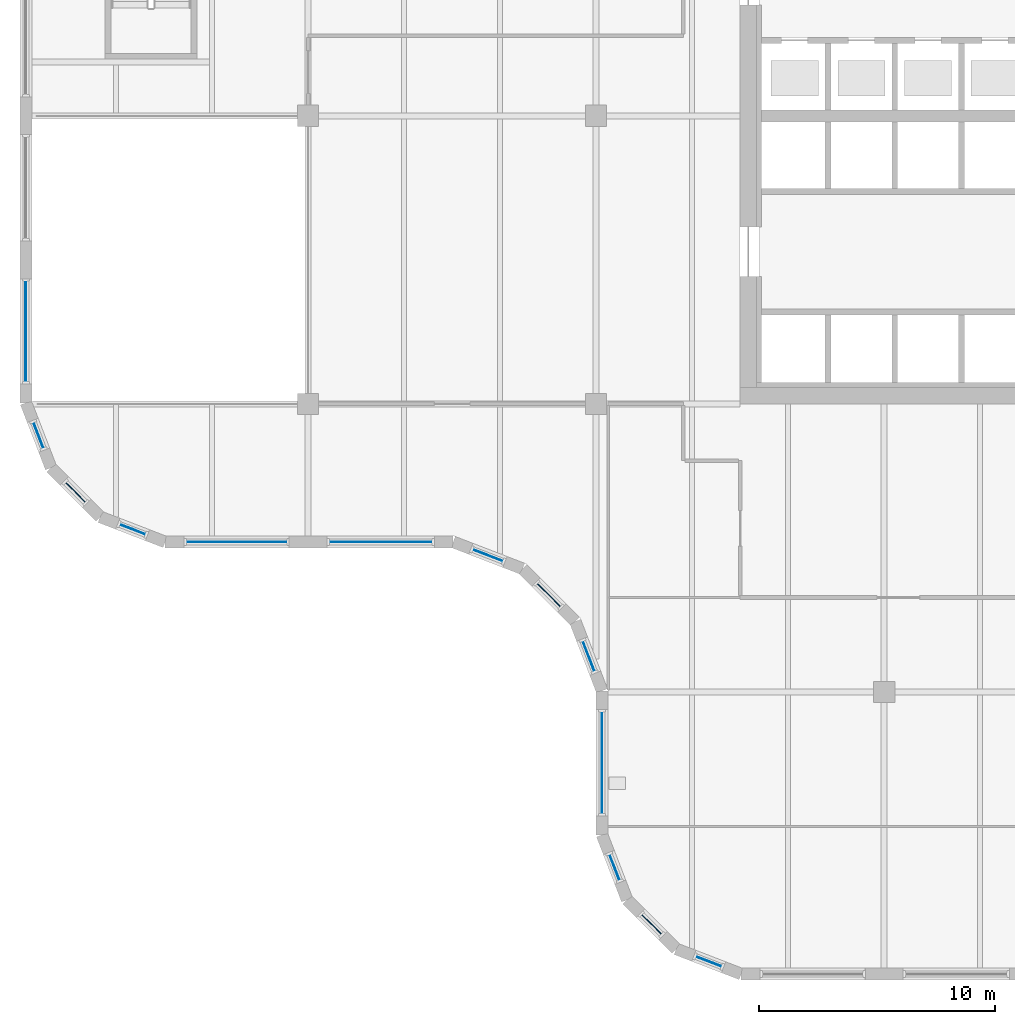
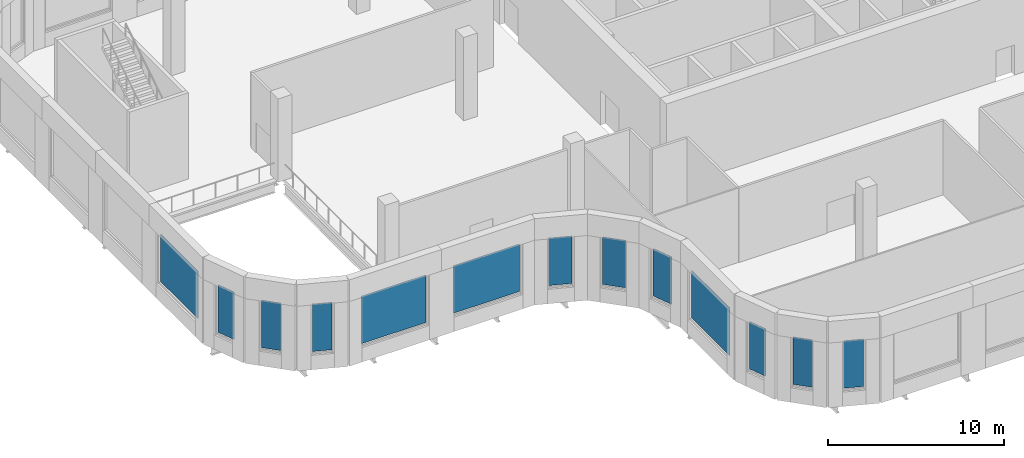
# One storey, part 14 of 36: 13 plates, 13 elements without a shape of their own.
"""IFC4 building model written with IfcOpenShell, lengths in metres."""

from ifc_helpers import new_model, si_unit, direction, frame, origin, origin_2d, place, context, subcontext, project, spatial, rectangle, extrude, material, layer, layer_set, type_object, element, aggregate, save


model = new_model("IFC4")

# Units and contexts
model_context = context("Model", 3, precision=1e-05, world=origin(), true_north=direction((0.0, 1.0)))
body_context = subcontext(model_context, "Body", "Model", "MODEL_VIEW")
ifc_project = project(units=[si_unit("LENGTHUNIT", "METRE"), si_unit("AREAUNIT", "SQUARE_METRE"), si_unit("VOLUMEUNIT", "CUBIC_METRE"), si_unit("PLANEANGLEUNIT", "RADIAN"), si_unit("MASSUNIT", "GRAM", prefix="KILO")], contexts=[model_context])

# Site, building, storey
site_placement = place(None, origin())
site = spatial("IfcSite", under=ifc_project, at=site_placement, CompositionType="ELEMENT")
building_placement = place(site_placement, origin())
building = spatial("IfcBuilding", under=site, at=building_placement, Name="Tessera Gate Towers", CompositionType="ELEMENT")
storey_placement = place(building_placement, frame((0.0, 0.0, 106.60009765625)))
storey = spatial("IfcBuildingStorey", under=building, at=storey_placement, Name="L26", CompositionType="ELEMENT", Elevation=106.60009765625)

# Curtain wall, plate
ifc_material_1 = material(Name="Aluminium frame", Category="aluminium")
curtain_wall_type = type_object("IfcCurtainWallType", Name="CW-S3 amenity floor glazing", PredefinedType="NOTDEFINED", material=ifc_material_1)
curtain_wall_1_placement = place(storey_placement, origin())
curtain_wall_1 = element("IfcCurtainWall", 1, at=curtain_wall_1_placement, inside=storey, type_object=curtain_wall_type, Name="Curtain wall amenity floor glazing 0032", PredefinedType="NOTDEFINED")
ifc_material_2 = material(Name="Low-e laminated glass", Category="glass")
ifc_layer = layer(ifc_material_2, 0.035888671875)
ifc_layer_set = layer_set([ifc_layer], Name="PN-S3 glass panel 36")
plate_type = type_object("IfcPlateType", Name="PN-S3 glass panel 36", PredefinedType="CURTAIN_PANEL", material=ifc_layer_set)
plate_1_placement = place(storey_placement, frame((0.25, 27.473388671875, 1.10009765625), z_axis=(0.0, 0.0, 1.0), x_axis=(0.0, -1.0, 0.0)))
plate_1 = element("IfcPlate", 2, at=plate_1_placement, type_object=plate_type, Name="T1-CW3-0032 panel 1.1", PredefinedType="CURTAIN_PANEL", context=body_context, shape_type="SweptSolid", body=[
    extrude(rectangle(XDim=4.25341796875, YDim=0.035888671875, at=origin_2d()), origin(), (0.0, 0.0, 1.0), 3.300048828125),
])
aggregate(curtain_wall_1, [plate_1])

curtain_wall_2_placement = place(storey_placement, origin())
curtain_wall_2 = element("IfcCurtainWall", 3, at=curtain_wall_2_placement, inside=storey, type_object=curtain_wall_type, Name="Curtain wall amenity floor glazing 0033", PredefinedType="NOTDEFINED")
plate_2_placement = place(storey_placement, frame((0.781005859375, 23.070068359375, 1.10009765625), z_axis=(0.0, 0.0, 1.0), x_axis=(0.359904070394, -0.932989314041, 0.0)))
plate_2 = element("IfcPlate", 4, at=plate_2_placement, type_object=plate_type, Name="T1-CW3-0033 panel 1.1", PredefinedType="CURTAIN_PANEL", context=body_context, shape_type="SweptSolid", body=[
    extrude(rectangle(XDim=1.150634765625, YDim=0.035888671875, at=origin_2d()), origin(), (0.0, 0.0, 1.0), 3.300048828125),
])
aggregate(curtain_wall_2, [plate_2])

curtain_wall_3_placement = place(storey_placement, origin())
curtain_wall_3 = element("IfcCurtainWall", 5, at=curtain_wall_3_placement, inside=storey, type_object=curtain_wall_type, Name="Curtain wall amenity floor glazing 0034", PredefinedType="NOTDEFINED")
plate_3_placement = place(storey_placement, frame((2.352783203125, 20.65283203125, 1.10009765625), z_axis=(0.0, 0.0, 1.0), x_axis=(0.707106781187, -0.707106781187, 0.0)))
plate_3 = element("IfcPlate", 6, at=plate_3_placement, type_object=plate_type, Name="T1-CW3-0034 panel 1.1", PredefinedType="CURTAIN_PANEL", context=body_context, shape_type="SweptSolid", body=[
    extrude(rectangle(XDim=1.14404296875, YDim=0.035888671875, at=origin_2d()), origin(), (0.0, 0.0, 1.0), 3.300048828125),
])
aggregate(curtain_wall_3, [plate_3])

curtain_wall_4_placement = place(storey_placement, origin())
curtain_wall_4 = element("IfcCurtainWall", 7, at=curtain_wall_4_placement, inside=storey, type_object=curtain_wall_type, Name="Curtain wall amenity floor glazing 0035", PredefinedType="NOTDEFINED")
plate_4_placement = place(storey_placement, frame((4.77001953125, 19.0810546875, 1.10009765625), z_axis=(0.0, 0.0, 1.0), x_axis=(0.932989314041, -0.359904070394, 0.0)))
plate_4 = element("IfcPlate", 8, at=plate_4_placement, type_object=plate_type, Name="T1-CW3-0035 panel 1.1", PredefinedType="CURTAIN_PANEL", context=body_context, shape_type="SweptSolid", body=[
    extrude(rectangle(XDim=1.150634765625, YDim=0.035888671875, at=origin_2d()), origin(), (0.0, 0.0, 1.0), 3.300048828125),
])
aggregate(curtain_wall_4, [plate_4])

curtain_wall_5_placement = place(storey_placement, origin())
curtain_wall_5 = element("IfcCurtainWall", 9, at=curtain_wall_5_placement, inside=storey, type_object=curtain_wall_type, Name="Curtain wall amenity floor glazing 0036", PredefinedType="NOTDEFINED")
plate_5_placement = place(storey_placement, frame((9.17333984375, 18.550048828125, 1.10009765625), z_axis=(0.0, 0.0, 1.0), x_axis=(1.0, 0.0, 0.0)))
plate_5 = element("IfcPlate", 10, at=plate_5_placement, type_object=plate_type, Name="T1-CW3-0036 panel 1.1", PredefinedType="CURTAIN_PANEL", context=body_context, shape_type="SweptSolid", body=[
    extrude(rectangle(XDim=4.25341796875, YDim=0.035888671875, at=origin_2d()), origin(), (0.0, 0.0, 1.0), 3.300048828125),
])
aggregate(curtain_wall_5, [plate_5])

curtain_wall_6_placement = place(storey_placement, origin())
curtain_wall_6 = element("IfcCurtainWall", 11, at=curtain_wall_6_placement, inside=storey, type_object=curtain_wall_type, Name="Curtain wall amenity floor glazing 0037", PredefinedType="NOTDEFINED")
plate_6_placement = place(storey_placement, frame((15.273193359375, 18.550048828125, 1.10009765625), z_axis=(0.0, 0.0, 1.0), x_axis=(1.0, 0.0, 0.0)))
plate_6 = element("IfcPlate", 12, at=plate_6_placement, type_object=plate_type, Name="T1-CW3-0037 panel 1.1", PredefinedType="CURTAIN_PANEL", context=body_context, shape_type="SweptSolid", body=[
    extrude(rectangle(XDim=4.346435546875, YDim=0.035888671875, at=origin_2d()), origin(), (0.0, 0.0, 1.0), 3.300048828125),
])
aggregate(curtain_wall_6, [plate_6])

curtain_wall_7_placement = place(storey_placement, origin())
curtain_wall_7 = element("IfcCurtainWall", 13, at=curtain_wall_7_placement, inside=storey, type_object=curtain_wall_type, Name="Curtain wall amenity floor glazing 0038", PredefinedType="NOTDEFINED")
plate_7_placement = place(storey_placement, frame((19.815673828125, 17.983154296875, 1.10009765625), z_axis=(0.0, 0.0, 1.0), x_axis=(0.932989451109, -0.359903715066, 0.0)))
plate_7 = element("IfcPlate", 14, at=plate_7_placement, type_object=plate_type, Name="T1-CW3-0038 panel 1.1", PredefinedType="CURTAIN_PANEL", context=body_context, shape_type="SweptSolid", body=[
    extrude(rectangle(XDim=1.349365234375, YDim=0.035888671875, at=origin_2d()), origin(), (0.0, 0.0, 1.0), 3.300048828125),
])
aggregate(curtain_wall_7, [plate_7])

curtain_wall_8_placement = place(storey_placement, origin())
curtain_wall_8 = element("IfcCurtainWall", 15, at=curtain_wall_8_placement, inside=storey, type_object=curtain_wall_type, Name="Curtain wall amenity floor glazing 0039", PredefinedType="NOTDEFINED")
plate_8_placement = place(storey_placement, frame((22.400634765625, 16.30078125, 1.10009765625), z_axis=(0.0, 0.0, 1.0), x_axis=(0.707106781187, -0.707106781187, 0.0)))
plate_8 = element("IfcPlate", 16, at=plate_8_placement, type_object=plate_type, Name="T1-CW3-0039 panel 1.1", PredefinedType="CURTAIN_PANEL", context=body_context, shape_type="SweptSolid", body=[
    extrude(rectangle(XDim=1.35595703125, YDim=0.035888671875, at=origin_2d()), origin(), (0.0, 0.0, 1.0), 3.300048828125),
])
aggregate(curtain_wall_8, [plate_8])

curtain_wall_9_placement = place(storey_placement, origin())
curtain_wall_9 = element("IfcCurtainWall", 17, at=curtain_wall_9_placement, inside=storey, type_object=curtain_wall_type, Name="Curtain wall amenity floor glazing 0040", PredefinedType="NOTDEFINED")
plate_9_placement = place(storey_placement, frame((24.083251953125, 13.7158203125, 1.10009765625), z_axis=(0.0, 0.0, 1.0), x_axis=(0.359903715066, -0.932989451109, 0.0)))
plate_9 = element("IfcPlate", 18, at=plate_9_placement, type_object=plate_type, Name="T1-CW3-0040 panel 1.1", PredefinedType="CURTAIN_PANEL", context=body_context, shape_type="SweptSolid", body=[
    extrude(rectangle(XDim=1.349365234375, YDim=0.035888671875, at=origin_2d()), origin(), (0.0, 0.0, 1.0), 3.300048828125),
])
aggregate(curtain_wall_9, [plate_9])

curtain_wall_10_placement = place(storey_placement, origin())
curtain_wall_10 = element("IfcCurtainWall", 19, at=curtain_wall_10_placement, inside=storey, type_object=curtain_wall_type, Name="Curtain wall amenity floor glazing 0041", PredefinedType="NOTDEFINED")
plate_10_placement = place(storey_placement, frame((24.64990234375, 9.196533203125, 1.10009765625), z_axis=(0.0, 0.0, 1.0), x_axis=(0.0, -1.0, 0.0)))
plate_10 = element("IfcPlate", 20, at=plate_10_placement, type_object=plate_type, Name="T1-CW3-0041 panel 1.1", PredefinedType="CURTAIN_PANEL", context=body_context, shape_type="SweptSolid", body=[
    extrude(rectangle(XDim=4.300048828125, YDim=0.035888671875, at=origin_2d()), origin(), (0.0, 0.0, 1.0), 3.300048828125),
])
aggregate(curtain_wall_10, [plate_10])

curtain_wall_11_placement = place(storey_placement, origin())
curtain_wall_11 = element("IfcCurtainWall", 21, at=curtain_wall_11_placement, inside=storey, type_object=curtain_wall_type, Name="Curtain wall amenity floor glazing 0042", PredefinedType="NOTDEFINED")
plate_11_placement = place(storey_placement, frame((25.180908203125, 4.77001953125, 1.10009765625), z_axis=(0.0, 0.0, 1.0), x_axis=(0.359904070394, -0.932989314041, 0.0)))
plate_11 = element("IfcPlate", 22, at=plate_11_placement, type_object=plate_type, Name="T1-CW3-0042 panel 1.1", PredefinedType="CURTAIN_PANEL", context=body_context, shape_type="SweptSolid", body=[
    extrude(rectangle(XDim=1.150634765625, YDim=0.035888671875, at=origin_2d()), origin(), (0.0, 0.0, 1.0), 3.300048828125),
])
aggregate(curtain_wall_11, [plate_11])

curtain_wall_12_placement = place(storey_placement, origin())
curtain_wall_12 = element("IfcCurtainWall", 23, at=curtain_wall_12_placement, inside=storey, type_object=curtain_wall_type, Name="Curtain wall amenity floor glazing 0043", PredefinedType="NOTDEFINED")
plate_12_placement = place(storey_placement, frame((26.7529296875, 2.352783203125, 1.10009765625), z_axis=(0.0, 0.0, 1.0), x_axis=(0.707106781187, -0.707106781187, 0.0)))
plate_12 = element("IfcPlate", 24, at=plate_12_placement, type_object=plate_type, Name="T1-CW3-0043 panel 1.1", PredefinedType="CURTAIN_PANEL", context=body_context, shape_type="SweptSolid", body=[
    extrude(rectangle(XDim=1.14404296875, YDim=0.035888671875, at=origin_2d()), origin(), (0.0, 0.0, 1.0), 3.300048828125),
])
aggregate(curtain_wall_12, [plate_12])

curtain_wall_13_placement = place(storey_placement, origin())
curtain_wall_13 = element("IfcCurtainWall", 25, at=curtain_wall_13_placement, inside=storey, type_object=curtain_wall_type, Name="Curtain wall amenity floor glazing 0044", PredefinedType="NOTDEFINED")
plate_13_placement = place(storey_placement, frame((29.170166015625, 0.781005859375, 1.10009765625), z_axis=(0.0, 0.0, 1.0), x_axis=(0.932989314041, -0.359904070394, 0.0)))
plate_13 = element("IfcPlate", 26, at=plate_13_placement, type_object=plate_type, Name="T1-CW3-0044 panel 1.1", PredefinedType="CURTAIN_PANEL", context=body_context, shape_type="SweptSolid", body=[
    extrude(rectangle(XDim=1.150634765625, YDim=0.035888671875, at=origin_2d()), origin(), (0.0, 0.0, 1.0), 3.300048828125),
])
aggregate(curtain_wall_13, [plate_13])

save(model, "model.ifc")
